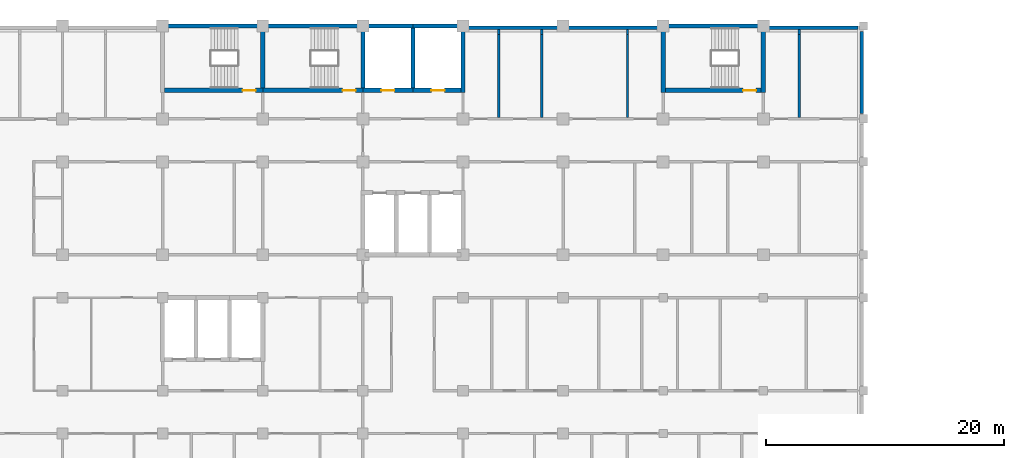
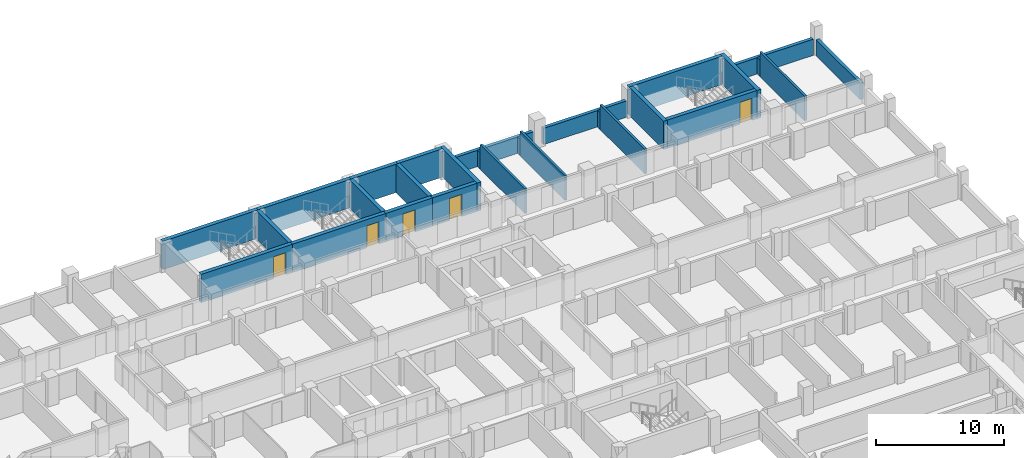
# One storey, part 62 of 89: 28 walls, 5 doors, 5 openings.
"""IFC4 building model written with IfcOpenShell, lengths in metres."""

from ifc_helpers import new_model, si_unit, direction, frame, frame_2d, origin, place, context, subcontext, project, spatial, rectangle, extrude, material, layer, layer_set, type_object, element, fill, save


model = new_model("IFC4")

# Units and contexts
model_context = context("Model", 3, precision=1e-05, world=origin(), true_north=direction((0.0, 1.0)))
body_context = subcontext(model_context, "Body", "Model", "MODEL_VIEW")
ifc_project = project(units=[si_unit("LENGTHUNIT", "METRE"), si_unit("AREAUNIT", "SQUARE_METRE"), si_unit("VOLUMEUNIT", "CUBIC_METRE"), si_unit("PLANEANGLEUNIT", "RADIAN"), si_unit("MASSUNIT", "GRAM", prefix="KILO")], contexts=[model_context])

# Site, building, storey
site_placement = place(None, origin())
site = spatial("IfcSite", under=ifc_project, at=site_placement, CompositionType="ELEMENT")
building_placement = place(site_placement, origin())
building = spatial("IfcBuilding", under=site, at=building_placement, Name="Bougainvillea Quay General Hospital", CompositionType="ELEMENT")
storey_placement = place(building_placement, frame((0.0, 0.0, 9.89990234375)))
storey = spatial("IfcBuildingStorey", under=building, at=storey_placement, Name="L01M", CompositionType="ELEMENT", Elevation=9.89990234375)

# Walls
ifc_material_1 = material(Name="Pale stone rainscreen cladding on insulated masonry backing, pale stone", Category="masonry")
ifc_layer_1 = layer(ifc_material_1, 0.300048828125)
ifc_layer_set_1 = layer_set([ifc_layer_1], Name="Pale stone rainscreen cladding on insulated masonry backing, pale stone")
wall_type_1 = type_object("IfcWallType", Name="External wall pale stone rainscreen 300", PredefinedType="STANDARD", material=ifc_layer_set_1)
wall_1_placement = place(storey_placement, frame((193.050048828125, 152.25, 0.0), z_axis=(0.0, 0.0, 1.0), x_axis=(0.0, 1.0, 0.0)))
element("IfcWall", 1, at=wall_1_placement, inside=storey, type_object=wall_type_1, Name="External wall wall/V4/L01M/p0/00g", PredefinedType="STANDARD", context=body_context, shape_type="SweptSolid", body=[
    extrude(rectangle(XDim=6.89990234375, YDim=0.300048828125, at=frame_2d((3.449951171875, 0.0))), origin(), (0.0, 0.0, 1.0), 1.550048828125),
])
for number, where, z_axis, x_axis, name in (
    (2, (192.75, 159.449951171875, 0.0), (0.0, 0.0, 1.0), (-1.0, 0.0, 0.0), "External wall wall/V4/L01M/p0/01a"),
    (3, (175.949951171875, 159.449951171875, 0.0), (0.0, 0.0, 1.0), (-1.0, 0.0, 0.0), "External wall wall/V4/L01M/p0/01b"),
    (4, (167.550048828125, 159.449951171875, 0.0), (0.0, 0.0, 1.0), (-1.0, 0.0, 0.0), "External wall wall/V4/L01M/p0/01c"),
):
    element("IfcWall", number, at=place(storey_placement, frame(where, z_axis=z_axis, x_axis=x_axis)), inside=storey, type_object=wall_type_1, Name=name, PredefinedType="STANDARD", context=body_context, shape_type="SweptSolid", body=[
        extrude(rectangle(XDim=7.5, YDim=0.300048828125, at=frame_2d((3.75, 0.0))), origin(), (0.0, 0.0, 1.0), 1.550048828125),
    ])
ifc_material_2 = material(Name="Fire-rated autoclaved aerated block wall, plastered")
ifc_layer_2 = layer(ifc_material_2, 0.199951171875)
ifc_layer_set_2 = layer_set([ifc_layer_2], Name="Fire-rated autoclaved aerated block wall, plastered")
wall_type_2 = type_object("IfcWallType", Name="Partition 200 Fire-rated autoclaved aerated block wall EI 120", PredefinedType="SOLIDWALL", material=ifc_layer_set_2)
wall_2_placement = place(storey_placement, frame((162.60009765625, 151.89990234375, 0.0), z_axis=(0.0, 0.0, 1.0), x_axis=(0.0, 1.0, 0.0)))
element("IfcWall", 5, at=wall_2_placement, inside=storey, type_object=wall_type_2, Name="Partition 200 mm EI 120", PredefinedType="SOLIDWALL", context=body_context, shape_type="SweptSolid", body=[
    extrude(rectangle(XDim=7.0, YDim=0.199951171875, at=frame_2d((3.5, 0.0))), origin(), (0.0, 0.0, 1.0), 2.35009765625),
])
wall_3_placement = place(storey_placement, frame((162.60009765625, 158.89990234375, 0.0), z_axis=(0.0, 0.0, 1.0), x_axis=(0.0, 1.0, 0.0)))
element("IfcWall", 6, at=wall_3_placement, inside=storey, type_object=wall_type_2, Name="Partition 200 mm EI 120", PredefinedType="SOLIDWALL", context=body_context, shape_type="SweptSolid", body=[
    extrude(rectangle(XDim=0.400146484375, YDim=0.199951171875, at=frame_2d((0.2001953125, 0.0))), origin(), (0.0, 0.0, 1.0), 1.580078125),
])
wall_4_placement = place(storey_placement, frame((166.199951171875, 151.89990234375, 0.0), z_axis=(0.0, 0.0, 1.0), x_axis=(0.0, 1.0, 0.0)))
element("IfcWall", 7, at=wall_4_placement, inside=storey, type_object=wall_type_2, Name="Partition 200 mm EI 120", PredefinedType="SOLIDWALL", context=body_context, shape_type="SweptSolid", body=[
    extrude(rectangle(XDim=7.0, YDim=0.199951171875, at=frame_2d((3.5, 0.0))), origin(), (0.0, 0.0, 1.0), 2.35009765625),
])
wall_5_placement = place(storey_placement, frame((166.199951171875, 158.89990234375, 0.0), z_axis=(0.0, 0.0, 1.0), x_axis=(0.0, 1.0, 0.0)))
element("IfcWall", 8, at=wall_5_placement, inside=storey, type_object=wall_type_2, Name="Partition 200 mm EI 120", PredefinedType="SOLIDWALL", context=body_context, shape_type="SweptSolid", body=[
    extrude(rectangle(XDim=0.400146484375, YDim=0.199951171875, at=frame_2d((0.2001953125, 0.0))), origin(), (0.0, 0.0, 1.0), 1.580078125),
])
wall_6_placement = place(storey_placement, frame((173.39990234375, 151.89990234375, 0.0), z_axis=(0.0, 0.0, 1.0), x_axis=(0.0, 1.0, 0.0)))
element("IfcWall", 9, at=wall_6_placement, inside=storey, type_object=wall_type_2, Name="Partition 200 mm EI 120", PredefinedType="SOLIDWALL", context=body_context, shape_type="SweptSolid", body=[
    extrude(rectangle(XDim=7.0, YDim=0.199951171875, at=frame_2d((3.5, 0.0))), origin(), (0.0, 0.0, 1.0), 2.35009765625),
])
wall_7_placement = place(storey_placement, frame((173.39990234375, 158.89990234375, 0.0), z_axis=(0.0, 0.0, 1.0), x_axis=(0.0, 1.0, 0.0)))
element("IfcWall", 10, at=wall_7_placement, inside=storey, type_object=wall_type_2, Name="Partition 200 mm EI 120", PredefinedType="SOLIDWALL", context=body_context, shape_type="SweptSolid", body=[
    extrude(rectangle(XDim=0.400146484375, YDim=0.199951171875, at=frame_2d((0.2001953125, 0.0))), origin(), (0.0, 0.0, 1.0), 1.580078125),
])
wall_8_placement = place(storey_placement, frame((187.800048828125, 151.89990234375, 0.0), z_axis=(0.0, 0.0, 1.0), x_axis=(0.0, 1.0, 0.0)))
element("IfcWall", 11, at=wall_8_placement, inside=storey, type_object=wall_type_2, Name="Partition 200 mm EI 120", PredefinedType="SOLIDWALL", context=body_context, shape_type="SweptSolid", body=[
    extrude(rectangle(XDim=7.0, YDim=0.199951171875, at=frame_2d((3.5, 0.0))), origin(), (0.0, 0.0, 1.0), 2.35009765625),
])
wall_9_placement = place(storey_placement, frame((187.800048828125, 158.89990234375, 0.0), z_axis=(0.0, 0.0, 1.0), x_axis=(0.0, 1.0, 0.0)))
element("IfcWall", 12, at=wall_9_placement, inside=storey, type_object=wall_type_2, Name="Partition 200 mm EI 120", PredefinedType="SOLIDWALL", context=body_context, shape_type="SweptSolid", body=[
    extrude(rectangle(XDim=0.400146484375, YDim=0.199951171875, at=frame_2d((0.2001953125, 0.0))), origin(), (0.0, 0.0, 1.0), 1.580078125),
])
ifc_material_3 = material(Name="Concrete C40", Category="concrete")
ifc_layer_3 = layer(ifc_material_3, 0.35009765625)
ifc_layer_set_3 = layer_set([ifc_layer_3], Name="Concrete C40")
wall_type_3 = type_object("IfcWallType", Name="RC SHEAR WALL 350 C40", PredefinedType="SHEAR", material=ifc_layer_set_3)
wall_10_placement = place(storey_placement, frame((134.22509765625, 159.60009765625, 0.0), z_axis=(0.0, 0.0, 1.0), x_axis=(1.0, 0.0, 0.0)))
element("IfcWall", 13, at=wall_10_placement, inside=storey, type_object=wall_type_3, Name="Shear wall L01M", PredefinedType="SHEAR", context=body_context, shape_type="SweptSolid", body=[
    extrude(rectangle(XDim=8.574951171875, YDim=0.35009765625, at=frame_2d((4.28759765625, 0.0))), origin(), (0.0, 0.0, 1.0), 2.7001953125),
])

# Wall, opening, door
wall_11_placement = place(storey_placement, frame((134.574951171875, 154.199951171875, 0.0), z_axis=(0.0, 0.0, 1.0), x_axis=(1.0, 0.0, 0.0)))
wall_11 = element("IfcWall", 14, at=wall_11_placement, inside=storey, type_object=wall_type_3, Name="Shear wall L01M", PredefinedType="SHEAR", context=body_context, shape_type="SweptSolid", body=[
    extrude(rectangle(XDim=8.22509765625, YDim=0.35009765625, at=frame_2d((4.112548828125, 0.0))), origin(), (0.0, 0.0, 1.0), 2.7001953125),
])
opening_1_placement = place(wall_11_placement, frame((6.52490234375, 0.0, 0.0)))
opening_1 = element("IfcOpeningElement", 15, at=opening_1_placement, cuts=wall_11, Name="Opening L01M.019", PredefinedType="OPENING", context=body_context, shape_type="SweptSolid", body=[
    extrude(rectangle(XDim=1.10009765625, YDim=2.10009765625, at=frame_2d((0.550048828125, 1.050048828125))), frame((0.0, 0.18505859375, 0.0), z_axis=(0.0, -1.0, 0.0), x_axis=(1.0, 0.0, 0.0)), (0.0, 0.0, 1.0), 0.3701171875),
])
ifc_material_4 = material(Name="Steel fire door leaf in steel frame", Category="steel")
door_type_1 = type_object("IfcDoorType", Name="Steel single leaf door 1100x2100 FD60", OperationType="NOTDEFINED", PredefinedType="DOOR", material=ifc_material_4)
door_1_placement = place(opening_1_placement, origin())
door_1 = element("IfcDoor", 16, at=door_1_placement, inside=storey, type_object=door_type_1, Name="DT04 L01M.019", OperationType="SINGLE_SWING_RIGHT", OverallHeight=2.10009765625, OverallWidth=1.10009765625, PredefinedType="DOOR", context=body_context, shape_type="SweptSolid", body=[
    extrude(rectangle(XDim=1.10009765625, YDim=2.10009765625, at=frame_2d((0.550048828125, 1.050048828125))), frame((0.0, 0.02490234375, 0.0), z_axis=(0.0, -1.0, 0.0), x_axis=(1.0, 0.0, 0.0)), (0.0, 0.0, 1.0), 0.050048828125),
])
fill(opening_1, door_1)

wall_12_placement = place(storey_placement, frame((142.800048828125, 154.199951171875, 0.0), z_axis=(0.0, 0.0, 1.0), x_axis=(1.0, 0.0, 0.0)))
wall_12 = element("IfcWall", 17, at=wall_12_placement, inside=storey, type_object=wall_type_3, Name="Shear wall L01M", PredefinedType="SHEAR", context=body_context, shape_type="SweptSolid", body=[
    extrude(rectangle(XDim=8.39990234375, YDim=0.35009765625, at=frame_2d((4.199951171875, 0.0))), origin(), (0.0, 0.0, 1.0), 2.7001953125),
])
opening_2_placement = place(wall_12_placement, frame((6.699951171875, 0.0, 0.0)))
opening_2 = element("IfcOpeningElement", 18, at=opening_2_placement, cuts=wall_12, Name="Opening L01M.027", PredefinedType="OPENING", context=body_context, shape_type="SweptSolid", body=[
    extrude(rectangle(XDim=1.10009765625, YDim=2.10009765625, at=frame_2d((0.550048828125, 1.050048828125))), frame((0.0, 0.18505859375, 0.0), z_axis=(0.0, -1.0, 0.0), x_axis=(1.0, 0.0, 0.0)), (0.0, 0.0, 1.0), 0.3701171875),
])
door_2_placement = place(opening_2_placement, origin())
door_2 = element("IfcDoor", 19, at=door_2_placement, inside=storey, type_object=door_type_1, Name="DT04 L01M.027", OperationType="SINGLE_SWING_RIGHT", OverallHeight=2.10009765625, OverallWidth=1.10009765625, PredefinedType="DOOR", context=body_context, shape_type="SweptSolid", body=[
    extrude(rectangle(XDim=1.10009765625, YDim=2.10009765625, at=frame_2d((0.550048828125, 1.050048828125))), frame((0.0, 0.02490234375, 0.0), z_axis=(0.0, -1.0, 0.0), x_axis=(1.0, 0.0, 0.0)), (0.0, 0.0, 1.0), 0.050048828125),
])
fill(opening_2, door_2)

# Walls
wall_13_placement = place(storey_placement, frame((142.800048828125, 154.375, 0.0), z_axis=(0.0, 0.0, 1.0), x_axis=(0.0, 1.0, 0.0)))
element("IfcWall", 20, at=wall_13_placement, inside=storey, type_object=wall_type_3, Name="Shear wall L01M", PredefinedType="SHEAR", context=body_context, shape_type="SweptSolid", body=[
    extrude(rectangle(XDim=5.050048828125, YDim=0.35009765625, at=frame_2d((2.52490234375, 0.0))), origin(), (0.0, 0.0, 1.0), 2.7001953125),
])
wall_14_placement = place(storey_placement, frame((142.800048828125, 159.60009765625, 0.0), z_axis=(0.0, 0.0, 1.0), x_axis=(1.0, 0.0, 0.0)))
element("IfcWall", 21, at=wall_14_placement, inside=storey, type_object=wall_type_3, Name="Shear wall L01M", PredefinedType="SHEAR", context=body_context, shape_type="SweptSolid", body=[
    extrude(rectangle(XDim=8.39990234375, YDim=0.35009765625, at=frame_2d((4.199951171875, 0.0))), origin(), (0.0, 0.0, 1.0), 2.7001953125),
])

# Wall, opening, door
wall_15_placement = place(storey_placement, frame((151.199951171875, 154.199951171875, 0.0), z_axis=(0.0, 0.0, 1.0), x_axis=(1.0, 0.0, 0.0)))
wall_15 = element("IfcWall", 22, at=wall_15_placement, inside=storey, type_object=wall_type_3, Name="Shear wall L01M", PredefinedType="SHEAR", context=body_context, shape_type="SweptSolid", body=[
    extrude(rectangle(XDim=4.199951171875, YDim=0.35009765625, at=frame_2d((2.10009765625, 0.0))), origin(), (0.0, 0.0, 1.0), 2.7001953125),
])
opening_3_placement = place(wall_15_placement, frame((1.550048828125, 0.0, 0.0)))
opening_3 = element("IfcOpeningElement", 23, at=opening_3_placement, cuts=wall_15, Name="Opening LD-S1.1-L01M", PredefinedType="OPENING", context=body_context, shape_type="SweptSolid", body=[
    extrude(rectangle(XDim=1.10009765625, YDim=2.10009765625, at=frame_2d((0.550048828125, 1.050048828125))), frame((0.0, 0.18505859375, 0.0), z_axis=(0.0, -1.0, 0.0), x_axis=(1.0, 0.0, 0.0)), (0.0, 0.0, 1.0), 0.3701171875),
])
ifc_material_5 = material(Name="Stainless steel centre-opening landing door", Category="steel")
door_type_2 = type_object("IfcDoorType", Name="Lift landing door 1100x2100 E 120", OperationType="DOUBLE_DOOR_SLIDING", PredefinedType="DOOR", material=ifc_material_5)
door_3_placement = place(opening_3_placement, origin())
door_3 = element("IfcDoor", 24, at=door_3_placement, inside=storey, type_object=door_type_2, Name="Lift landing door LB-S1-1 L01M", OperationType="DOUBLE_DOOR_SLIDING", OverallHeight=2.10009765625, OverallWidth=1.10009765625, PredefinedType="DOOR", context=body_context, shape_type="SweptSolid", body=[
    extrude(rectangle(XDim=1.10009765625, YDim=2.10009765625, at=frame_2d((0.550048828125, 1.050048828125))), frame((0.0, 0.02490234375, 0.0), z_axis=(0.0, -1.0, 0.0), x_axis=(1.0, 0.0, 0.0)), (0.0, 0.0, 1.0), 0.050048828125),
])
fill(opening_3, door_3)

# Walls
wall_16_placement = place(storey_placement, frame((151.199951171875, 154.375, 0.0), z_axis=(0.0, 0.0, 1.0), x_axis=(0.0, 1.0, 0.0)))
element("IfcWall", 25, at=wall_16_placement, inside=storey, type_object=wall_type_3, Name="Shear wall L01M", PredefinedType="SHEAR", context=body_context, shape_type="SweptSolid", body=[
    extrude(rectangle(XDim=5.050048828125, YDim=0.35009765625, at=frame_2d((2.52490234375, 0.0))), origin(), (0.0, 0.0, 1.0), 2.7001953125),
])
wall_17_placement = place(storey_placement, frame((151.199951171875, 159.60009765625, 0.0), z_axis=(0.0, 0.0, 1.0), x_axis=(1.0, 0.0, 0.0)))
element("IfcWall", 26, at=wall_17_placement, inside=storey, type_object=wall_type_3, Name="Shear wall L01M", PredefinedType="SHEAR", context=body_context, shape_type="SweptSolid", body=[
    extrude(rectangle(XDim=4.199951171875, YDim=0.35009765625, at=frame_2d((2.10009765625, 0.0))), origin(), (0.0, 0.0, 1.0), 2.7001953125),
])

# Wall, opening, door
wall_18_placement = place(storey_placement, frame((155.39990234375, 154.199951171875, 0.0), z_axis=(0.0, 0.0, 1.0), x_axis=(1.0, 0.0, 0.0)))
wall_18 = element("IfcWall", 27, at=wall_18_placement, inside=storey, type_object=wall_type_3, Name="Shear wall L01M", PredefinedType="SHEAR", context=body_context, shape_type="SweptSolid", body=[
    extrude(rectangle(XDim=4.025146484375, YDim=0.35009765625, at=frame_2d((2.0126953125, 0.0))), origin(), (0.0, 0.0, 1.0), 2.7001953125),
])
opening_4_placement = place(wall_18_placement, frame((1.550048828125, 0.0, 0.0)))
opening_4 = element("IfcOpeningElement", 28, at=opening_4_placement, cuts=wall_18, Name="Opening LD-S1.2-L01M", PredefinedType="OPENING", context=body_context, shape_type="SweptSolid", body=[
    extrude(rectangle(XDim=1.10009765625, YDim=2.10009765625, at=frame_2d((0.550048828125, 1.050048828125))), frame((0.0, 0.18505859375, 0.0), z_axis=(0.0, -1.0, 0.0), x_axis=(1.0, 0.0, 0.0)), (0.0, 0.0, 1.0), 0.3701171875),
])
door_4_placement = place(opening_4_placement, origin())
door_4 = element("IfcDoor", 29, at=door_4_placement, inside=storey, type_object=door_type_2, Name="Lift landing door LB-S1-2 L01M", OperationType="DOUBLE_DOOR_SLIDING", OverallHeight=2.10009765625, OverallWidth=1.10009765625, PredefinedType="DOOR", context=body_context, shape_type="SweptSolid", body=[
    extrude(rectangle(XDim=1.10009765625, YDim=2.10009765625, at=frame_2d((0.550048828125, 1.050048828125))), frame((0.0, 0.02490234375, 0.0), z_axis=(0.0, -1.0, 0.0), x_axis=(1.0, 0.0, 0.0)), (0.0, 0.0, 1.0), 0.050048828125),
])
fill(opening_4, door_4)

# Walls
wall_19_placement = place(storey_placement, frame((155.39990234375, 154.375, 0.0), z_axis=(0.0, 0.0, 1.0), x_axis=(0.0, 1.0, 0.0)))
element("IfcWall", 30, at=wall_19_placement, inside=storey, type_object=wall_type_3, Name="Shear wall L01M", PredefinedType="SHEAR", context=body_context, shape_type="SweptSolid", body=[
    extrude(rectangle(XDim=5.050048828125, YDim=0.35009765625, at=frame_2d((2.52490234375, 0.0))), origin(), (0.0, 0.0, 1.0), 2.7001953125),
])
wall_20_placement = place(storey_placement, frame((155.39990234375, 159.60009765625, 0.0), z_axis=(0.0, 0.0, 1.0), x_axis=(1.0, 0.0, 0.0)))
element("IfcWall", 31, at=wall_20_placement, inside=storey, type_object=wall_type_3, Name="Shear wall L01M", PredefinedType="SHEAR", context=body_context, shape_type="SweptSolid", body=[
    extrude(rectangle(XDim=4.025146484375, YDim=0.35009765625, at=frame_2d((2.0126953125, 0.0))), origin(), (0.0, 0.0, 1.0), 2.7001953125),
])
wall_21_placement = place(storey_placement, frame((159.60009765625, 154.02490234375, 0.0), z_axis=(0.0, 0.0, 1.0), x_axis=(0.0, 1.0, 0.0)))
element("IfcWall", 32, at=wall_21_placement, inside=storey, type_object=wall_type_3, Name="Shear wall L01M", PredefinedType="SHEAR", context=body_context, shape_type="SweptSolid", body=[
    extrude(rectangle(XDim=5.75, YDim=0.35009765625, at=frame_2d((2.875, 0.0))), origin(), (0.0, 0.0, 1.0), 2.7001953125),
])
wall_22_placement = place(storey_placement, frame((176.22509765625, 159.60009765625, 0.0), z_axis=(0.0, 0.0, 1.0), x_axis=(1.0, 0.0, 0.0)))
element("IfcWall", 33, at=wall_22_placement, inside=storey, type_object=wall_type_3, Name="Shear wall L01M", PredefinedType="SHEAR", context=body_context, shape_type="SweptSolid", body=[
    extrude(rectangle(XDim=8.39990234375, YDim=0.35009765625, at=frame_2d((4.199951171875, 0.0))), origin(), (0.0, 0.0, 1.0), 2.7001953125),
])
wall_23_placement = place(storey_placement, frame((176.39990234375, 154.02490234375, 0.0), z_axis=(0.0, 0.0, 1.0), x_axis=(0.0, 1.0, 0.0)))
element("IfcWall", 34, at=wall_23_placement, inside=storey, type_object=wall_type_3, Name="Shear wall L01M", PredefinedType="SHEAR", context=body_context, shape_type="SweptSolid", body=[
    extrude(rectangle(XDim=5.400146484375, YDim=0.35009765625, at=frame_2d((2.7001953125, 0.0))), origin(), (0.0, 0.0, 1.0), 2.7001953125),
])

# Wall, opening, door
wall_24_placement = place(storey_placement, frame((176.574951171875, 154.199951171875, 0.0), z_axis=(0.0, 0.0, 1.0), x_axis=(1.0, 0.0, 0.0)))
wall_24 = element("IfcWall", 35, at=wall_24_placement, inside=storey, type_object=wall_type_3, Name="Shear wall L01M", PredefinedType="SHEAR", context=body_context, shape_type="SweptSolid", body=[
    extrude(rectangle(XDim=8.050048828125, YDim=0.35009765625, at=frame_2d((4.02490234375, 0.0))), origin(), (0.0, 0.0, 1.0), 2.7001953125),
])
opening_5_placement = place(wall_24_placement, frame((6.52490234375, 0.0, 0.0)))
opening_5 = element("IfcOpeningElement", 36, at=opening_5_placement, cuts=wall_24, Name="Opening L01M.020", PredefinedType="OPENING", context=body_context, shape_type="SweptSolid", body=[
    extrude(rectangle(XDim=1.10009765625, YDim=2.10009765625, at=frame_2d((0.550048828125, 1.050048828125))), frame((0.0, 0.18505859375, 0.0), z_axis=(0.0, -1.0, 0.0), x_axis=(1.0, 0.0, 0.0)), (0.0, 0.0, 1.0), 0.3701171875),
])
door_5_placement = place(opening_5_placement, origin())
door_5 = element("IfcDoor", 37, at=door_5_placement, inside=storey, type_object=door_type_1, Name="DT04 L01M.020", OperationType="SINGLE_SWING_RIGHT", OverallHeight=2.10009765625, OverallWidth=1.10009765625, PredefinedType="DOOR", context=body_context, shape_type="SweptSolid", body=[
    extrude(rectangle(XDim=1.10009765625, YDim=2.10009765625, at=frame_2d((0.550048828125, 1.050048828125))), frame((0.0, 0.02490234375, 0.0), z_axis=(0.0, -1.0, 0.0), x_axis=(1.0, 0.0, 0.0)), (0.0, 0.0, 1.0), 0.050048828125),
])
fill(opening_5, door_5)

# Wall
wall_25_placement = place(storey_placement, frame((184.800048828125, 154.02490234375, 0.0), z_axis=(0.0, 0.0, 1.0), x_axis=(0.0, 1.0, 0.0)))
element("IfcWall", 38, at=wall_25_placement, inside=storey, type_object=wall_type_3, Name="Shear wall L01M", PredefinedType="SHEAR", context=body_context, shape_type="SweptSolid", body=[
    extrude(rectangle(XDim=5.75, YDim=0.35009765625, at=frame_2d((2.875, 0.0))), origin(), (0.0, 0.0, 1.0), 2.7001953125),
])

save(model, "model.ifc")
